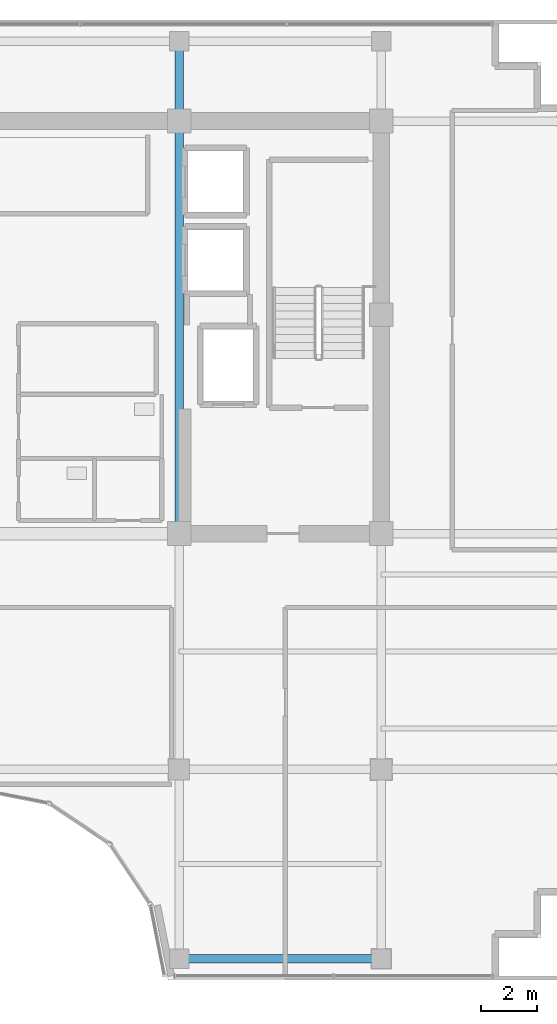
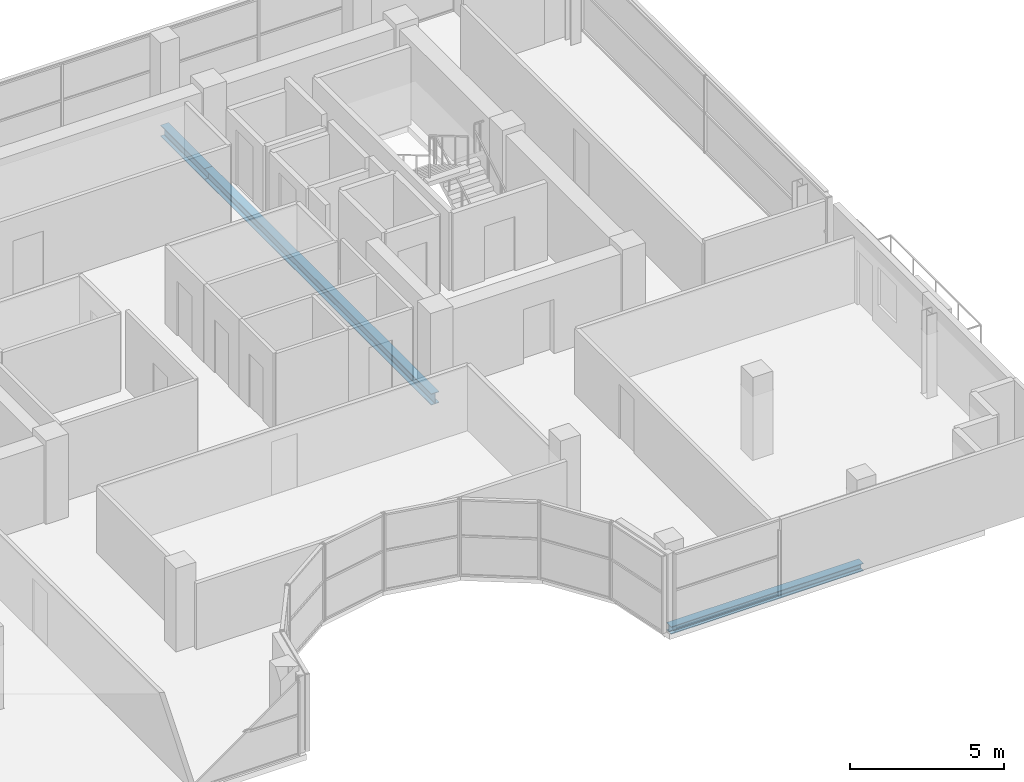
# One storey, part 12 of 29: 3 beams.
"""IFC4 building model written with IfcOpenShell, lengths in metres."""

import ifcopenshell
import ifcopenshell.guid

model = None  # the IFC model being written
_history = None  # IfcOwnerHistory: only IFC2X3 demands one
_inside = {}  # id of a spatial element -> (the spatial element, [elements in it])
_under = {}  # id of a project, library or spatial element -> (it, [spatial elements below it])
_declared = {}  # id of a project -> (the project, [libraries it declares])
_typed = {}  # id of a type object -> (the type object, [elements of that type])
_made_of = {}  # id of a material, layer set ... -> (it, [elements and type objects made of it])


def new_model(schema):
    """Start an empty IFC model of exactly this schema.

    Asked for "IFC4X3", IfcOpenShell would pick the latest addendum, in which some entities
    have other attributes; the version numbers below select the first issue.
    IFC2X3 requires an IfcOwnerHistory on every rooted entity: one is made here for all.
    """
    global model, _history
    if schema == "IFC4X3":
        model = ifcopenshell.file(schema_version=(4, 3, 0, 0))
    else:
        model = ifcopenshell.file(schema=schema)
    _inside.clear()
    _under.clear()
    _declared.clear()
    _typed.clear()
    _made_of.clear()
    _history = None
    if model.schema == "IFC2X3":
        org = make("IfcOrganization", Name="unknown")
        user = make(
            "IfcPersonAndOrganization",
            ThePerson=make("IfcPerson", FamilyName="unknown"),
            TheOrganization=org,
        )
        app = make(
            "IfcApplication",
            ApplicationDeveloper=org,
            Version="unknown",
            ApplicationFullName="unknown",
            ApplicationIdentifier="unknown",
        )
        _history = make(
            "IfcOwnerHistory",
            OwningUser=user,
            OwningApplication=app,
            ChangeAction="ADDED",
            CreationDate=0,
        )
    return model


def make(cls, **values):
    """One entity of the class cls with the attributes given. An attribute that is None is left unset."""
    return model.create_entity(
        cls, **{name: value for name, value in values.items() if value is not None}
    )


def rooted(cls, **values):
    """An entity with a GlobalId (a new one), such as an element, a storey or a relation."""
    return make(cls, GlobalId=ifcopenshell.guid.new(), OwnerHistory=_history, **values)


def si_unit(unit_type, name, prefix=None):
    """IfcSIUnit, for example si_unit("LENGTHUNIT", "METRE", prefix="MILLI")."""
    return make("IfcSIUnit", UnitType=unit_type, Prefix=prefix, Name=name)


def assignment(units):
    """IfcUnitAssignment: the units of a project."""
    return None if units is None else make("IfcUnitAssignment", Units=units)


def point(xyz):
    """IfcCartesianPoint."""
    return None if xyz is None else make("IfcCartesianPoint", Coordinates=xyz)


def direction(xyz):
    """IfcDirection."""
    return None if xyz is None else make("IfcDirection", DirectionRatios=xyz)


def frame(location, z_axis=None, x_axis=None):
    """IfcAxis2Placement3D, a coordinate frame: its origin and axes. An axis left out is left unset."""
    return make(
        "IfcAxis2Placement3D",
        Location=point(location),
        Axis=direction(z_axis),
        RefDirection=direction(x_axis),
    )


def frame_2d(location, x_axis=None):
    """IfcAxis2Placement2D, a coordinate frame in the plane: its origin and x axis."""
    return make(
        "IfcAxis2Placement2D", Location=point(location), RefDirection=direction(x_axis)
    )


def origin():
    """The frame at (0, 0, 0) with its axes left unset."""
    return frame((0.0, 0.0, 0.0))


def origin_2d():
    """The frame at (0, 0) in the plane with its x axis left unset."""
    return frame_2d((0.0, 0.0))


def place(relative_to, where):
    """IfcLocalPlacement: puts the frame where relative to a parent placement (None: the world)."""
    return make(
        "IfcLocalPlacement", PlacementRelTo=relative_to, RelativePlacement=where
    )


def context(
    kind, dimensions, precision=None, world=None, true_north=None, identifier=None
):
    """IfcGeometricRepresentationContext, for example the 3D "Model" context."""
    return make(
        "IfcGeometricRepresentationContext",
        ContextIdentifier=identifier,
        ContextType=kind,
        CoordinateSpaceDimension=dimensions,
        Precision=precision,
        WorldCoordinateSystem=world,
        TrueNorth=true_north,
    )


def subcontext(parent, identifier, kind, view, scale=None):
    """IfcGeometricRepresentationSubContext, for example "Body" below "Model"."""
    return make(
        "IfcGeometricRepresentationSubContext",
        ContextIdentifier=identifier,
        ContextType=kind,
        ParentContext=parent,
        TargetScale=scale,
        TargetView=view,
    )


def project(units=None, contexts=None):
    """IfcProject with its units and contexts."""
    return rooted(
        "IfcProject",
        Name="project",
        RepresentationContexts=contexts,
        UnitsInContext=assignment(units),
    )


def spatial(cls, under=None, at=None, **own):
    """A site, building, storey or space (cls), placed at a placement, below another one or the project."""
    s = rooted(cls, ObjectPlacement=at, **own)
    if under is not None:
        _under.setdefault(under.id(), (under, []))[1].append(s)
    return s


def profile(cls, at=None, kind="AREA", **sizes):
    """A parametric profile (cls). Its sizes go by their IFC names, for example OverallWidth=200.0."""
    return make(cls, ProfileType=kind, Position=at, **sizes)


def i_section(**sizes):
    """IfcIShapeProfileDef."""
    return profile("IfcIShapeProfileDef", **sizes)


def extrude(swept, where, along, depth):
    """IfcExtrudedAreaSolid: the profile swept, set in the frame where, extruded along a direction by depth."""
    return make(
        "IfcExtrudedAreaSolid",
        SweptArea=swept,
        Position=where,
        ExtrudedDirection=direction(along),
        Depth=depth,
    )


def shape(context_of_items, identifier, shape_type, items):
    """IfcShapeRepresentation: the items that make up one representation, for example the "Body"."""
    return make(
        "IfcShapeRepresentation",
        ContextOfItems=context_of_items,
        RepresentationIdentifier=identifier,
        RepresentationType=shape_type,
        Items=items,
    )


def material(Name=None, Category=None):
    """IfcMaterial."""
    return make("IfcMaterial", Name=Name, Category=Category)


def material_profile(
    of_material, cross_section, Name=None, Category=None, Priority=None
):
    """IfcMaterialProfile: a cross section and its material."""
    return make(
        "IfcMaterialProfile",
        Name=Name,
        Material=of_material,
        Profile=cross_section,
        Priority=Priority,
        Category=Category,
    )


def profile_set(profiles, Name=None, composite=None):
    """IfcMaterialProfileSet."""
    return make(
        "IfcMaterialProfileSet",
        Name=Name,
        MaterialProfiles=profiles,
        CompositeProfile=composite,
    )


def made_of(thing, what):
    """Note that an element or type object is made of a material, layer set ...; save() writes the relation."""
    if what is not None:
        _made_of.setdefault(what.id(), (what, []))[1].append(thing)
    return thing


def type_object(cls, material=None, **own):
    """A type object (cls), such as IfcWallType, which elements share."""
    return made_of(rooted(cls, **own), material)


def element(
    cls,
    number,
    at=None,
    inside=None,
    cuts=None,
    type_object=None,
    material=None,
    context=None,
    identifier="Body",
    shape_type=None,
    held_by="IfcProductDefinitionShape",
    body=None,
    shapes=None,
    **own,
):
    """One element of the class cls, such as IfcWall. Its Tag is "e" and its number.

    at: its placement. inside: the storey or other place that contains it. cuts: it is an
    opening in that element (IfcRelVoidsElement). A single representation is given by context,
    identifier, shape_type and body (its items); several are given by shapes. held_by: the class
    of the entity that holds the representations. save() writes the other relations.
    """
    e = rooted(cls, Tag="e%d" % number, ObjectPlacement=at, **own)
    if body is not None:
        shapes = [shape(context, identifier, shape_type, body)]
    if shapes is not None:
        e.Representation = make(held_by, Representations=shapes)
    if inside is not None:
        _inside.setdefault(inside.id(), (inside, []))[1].append(e)
    if cuts is not None:
        rooted(
            "IfcRelVoidsElement", RelatingBuildingElement=cuts, RelatedOpeningElement=e
        )
    if type_object is not None:
        _typed.setdefault(type_object.id(), (type_object, []))[1].append(e)
    return made_of(e, material)


def aggregate(whole, parts):
    """IfcRelAggregates: a whole, such as a stair, and the parts it consists of."""
    return rooted("IfcRelAggregates", RelatingObject=whole, RelatedObjects=parts)


def save(model, path):
    """Write the relations noted so far, then the file.

    IfcRelAggregates (storeys below a building ...), IfcRelContainedInSpatialStructure (elements
    in a storey), IfcRelDefinesByType, IfcRelAssociatesMaterial and IfcRelDeclares: one each for
    every whole, place, type object, material and project.
    """
    for whole, parts in _under.values():
        aggregate(whole, parts)
    for where, things in _inside.values():
        rooted(
            "IfcRelContainedInSpatialStructure",
            RelatedElements=things,
            RelatingStructure=where,
        )
    for kind, things in _typed.values():
        rooted("IfcRelDefinesByType", RelatedObjects=things, RelatingType=kind)
    for what, things in _made_of.values():
        rooted("IfcRelAssociatesMaterial", RelatedObjects=things, RelatingMaterial=what)
    for by, libraries in _declared.values():
        rooted("IfcRelDeclares", RelatingContext=by, RelatedDefinitions=libraries)
    model.write(path)


model = new_model("IFC4")

# Units and contexts
model_context = context("Model", 3, precision=1e-05, world=origin(), true_north=direction((0.0, 1.0)))
body_context = subcontext(model_context, "Body", "Model", "MODEL_VIEW")
ifc_project = project(units=[si_unit("LENGTHUNIT", "METRE"), si_unit("AREAUNIT", "SQUARE_METRE"), si_unit("VOLUMEUNIT", "CUBIC_METRE"), si_unit("PLANEANGLEUNIT", "RADIAN"), si_unit("MASSUNIT", "GRAM", prefix="KILO")], contexts=[model_context])

# Site, building, storey
site_placement = place(None, origin())
site = spatial("IfcSite", under=ifc_project, at=site_placement, CompositionType="ELEMENT")
building_placement = place(site_placement, origin())
building = spatial("IfcBuilding", under=site, at=building_placement, Name="Zarnakvel Exchange Tower", CompositionType="ELEMENT")
storey_placement = place(building_placement, frame((0.0, 0.0, 265.0)))
storey = spatial("IfcBuildingStorey", under=building, at=storey_placement, Name="L75", CompositionType="ELEMENT", Elevation=265.0)

# Beams
ifc_material = material(Name="Steel S355", Category="steel")
ifc_material_profile_1 = material_profile(ifc_material, i_section(OverallWidth=0.300048828125, OverallDepth=0.449951171875, WebThickness=0.013916015625, FlangeThickness=0.02587890625, FilletRadius=0.027099609375, at=origin_2d()))
ifc_profile_set_1 = profile_set([ifc_material_profile_1], Name="Steel S355")
beam_type_1 = type_object("IfcBeamType", Name="G-07", PredefinedType="BEAM", material=ifc_profile_set_1)
beam_1_placement = place(storey_placement, frame((7.199951171875, -1.199951171875, -0.449951171875), z_axis=(0.0, 1.0, 0.0), x_axis=(-1.0, 0.0, 0.0)))
element("IfcBeam", 1, at=beam_1_placement, inside=storey, type_object=beam_type_1, Name="L75 Tower N-S Frame Beam", PredefinedType="BEAM", context=body_context, shape_type="SweptSolid", body=[
    extrude(i_section(OverallWidth=0.300048828125, OverallDepth=0.449951171875, WebThickness=0.013916015625, FlangeThickness=0.02587890625, FilletRadius=0.027099609375, at=origin_2d()), origin(), (0.0, 0.0, 1.0), 14.699951171875),
])
beam_2_placement = place(storey_placement, frame((7.199951171875, 13.5, -0.449951171875), z_axis=(0.0, 1.0, 0.0), x_axis=(-1.0, 0.0, 0.0)))
element("IfcBeam", 2, at=beam_2_placement, inside=storey, type_object=beam_type_1, Name="L75 Tower N-S Frame Beam", PredefinedType="BEAM", context=body_context, shape_type="SweptSolid", body=[
    extrude(i_section(OverallWidth=0.300048828125, OverallDepth=0.449951171875, WebThickness=0.013916015625, FlangeThickness=0.02587890625, FilletRadius=0.027099609375, at=origin_2d()), origin(), (0.0, 0.0, 1.0), 2.85009765625),
])
ifc_material_profile_2 = material_profile(ifc_material, i_section(OverallWidth=0.300048828125, OverallDepth=0.300048828125, WebThickness=0.010986328125, FlangeThickness=0.01904296875, FilletRadius=0.027099609375, at=origin_2d()))
ifc_profile_set_2 = profile_set([ifc_material_profile_2], Name="Steel S355")
beam_type_2 = type_object("IfcBeamType", Name="SP-03", PredefinedType="SPANDREL", material=ifc_profile_set_2)
beam_3_placement = place(storey_placement, frame((7.199951171875, -16.35009765625, -0.375), z_axis=(1.0, 0.0, 0.0), x_axis=(0.0, 1.0, 0.0)))
element("IfcBeam", 3, at=beam_3_placement, inside=storey, type_object=beam_type_2, Name="L75 Tower E-W Frame Beam", PredefinedType="SPANDREL", context=body_context, shape_type="SweptSolid", body=[
    extrude(i_section(OverallWidth=0.300048828125, OverallDepth=0.300048828125, WebThickness=0.010986328125, FlangeThickness=0.01904296875, FilletRadius=0.027099609375, at=origin_2d()), origin(), (0.0, 0.0, 1.0), 7.199951171875),
])

save(model, "model.ifc")
